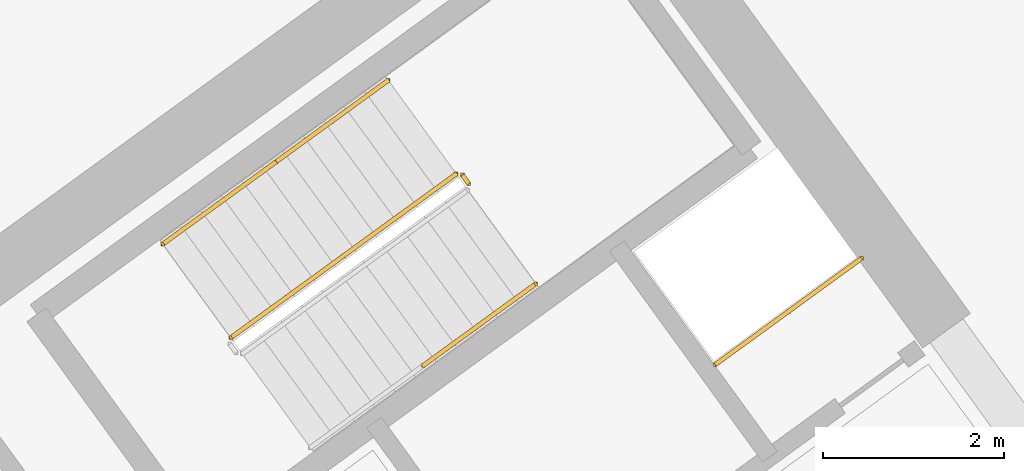
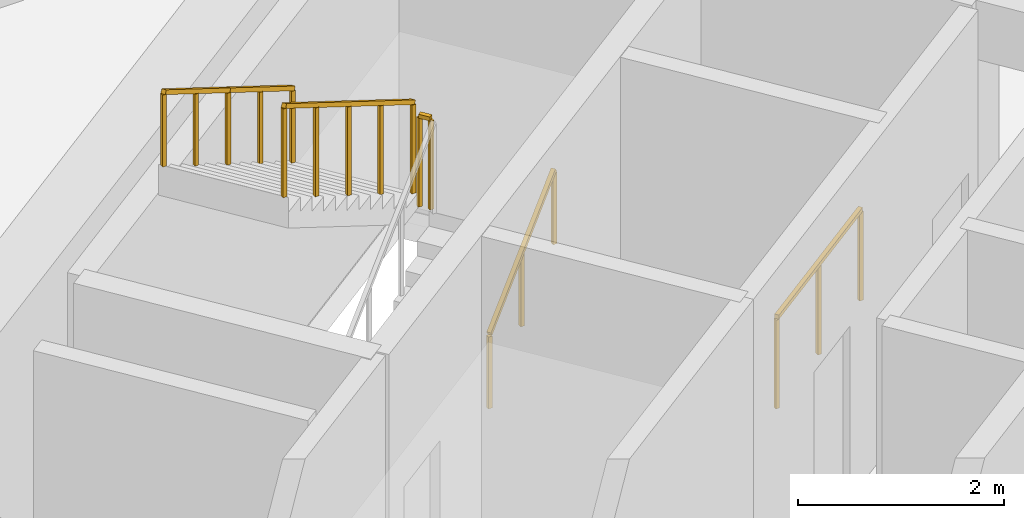
# One storey, part 21 of 22: 6 railings.
"""IFC4 building model written with IfcOpenShell, lengths in metres."""

from ifc_helpers import new_model, si_unit, direction, frame, origin, origin_2d, place, context, subcontext, project, spatial, rectangle, extrude, source, transform, mapped, material, type_object, element, save


model = new_model("IFC4")

# Units and contexts
model_context = context("Model", 3, precision=1e-05, world=origin(), true_north=direction((0.0, 1.0)))
body_context = subcontext(model_context, "Body", "Model", "MODEL_VIEW")
ifc_project = project(units=[si_unit("LENGTHUNIT", "METRE"), si_unit("AREAUNIT", "SQUARE_METRE"), si_unit("VOLUMEUNIT", "CUBIC_METRE"), si_unit("PLANEANGLEUNIT", "RADIAN"), si_unit("MASSUNIT", "GRAM", prefix="KILO")], contexts=[model_context])

# Site, building, storey
site_placement = place(None, origin())
site = spatial("IfcSite", under=ifc_project, at=site_placement, CompositionType="ELEMENT")
building_placement = place(site_placement, origin())
building = spatial("IfcBuilding", under=site, at=building_placement, Name="Tlacorven Tower", CompositionType="ELEMENT")
storey_placement = place(building_placement, frame((0.0, 0.0, 10.199951171875)))
storey = spatial("IfcBuildingStorey", under=building, at=storey_placement, Name="L02", CompositionType="ELEMENT", Elevation=10.199951171875)

# Railings
ifc_material = material(Name="Aluminium and painted steel balustrade", Category="steel")
railing_type_1 = type_object("IfcRailingType", Name="RL-GRD-1100", PredefinedType="GUARDRAIL", material=ifc_material)
shared_shape_1 = source(origin(), body_context, "Body", "SweptSolid", [
    extrude(rectangle(XDim=0.048095703125, YDim=0.048095703125, at=origin_2d()), frame((0.0, 0.0, 1.076171875), z_axis=(0.808947177504, 0.587881334972, 0.0), x_axis=(-0.587881334972, 0.808947177504, 0.0)), (0.0, 0.0, 1.0), 2.0),
    extrude(rectangle(XDim=0.0419921875, YDim=0.0419921875, at=origin_2d()), origin(), (0.0, 0.0, 1.0), 1.052001953125),
    extrude(rectangle(XDim=0.0419921875, YDim=0.0419921875, at=origin_2d()), frame((0.80908203125, 0.587890625, 0.0)), (0.0, 0.0, 1.0), 1.052001953125),
    extrude(rectangle(XDim=0.0419921875, YDim=0.0419921875, at=origin_2d()), frame((1.617919921875, 1.17578125, 0.0)), (0.0, 0.0, 1.0), 1.052001953125),
])
railing_1_placement = place(storey_placement, frame((55.506103515625, 25.438232421875, 0.0)))
element("IfcRailing", 1, at=railing_1_placement, inside=storey, type_object=railing_type_1, Name="L02 Electrical Riser E Shaft Guard 1", PredefinedType="GUARDRAIL", context=body_context, shape_type="MappedRepresentation", body=[
    mapped(shared_shape_1, transform((0.0, 0.0, 0.0), scale=1.0)),
])
shared_shape_2 = source(origin(), body_context, "Body", "SweptSolid", [
    extrude(rectangle(XDim=0.048095703125, YDim=0.048095703125, at=origin_2d()), frame((0.0, 0.0, 1.076171875), z_axis=(-0.587567097037, 0.809175448515, 0.0), x_axis=(-0.809175448515, -0.587567097037, 0.0)), (0.0, 0.0, 1.0), 0.1201171875),
    extrude(rectangle(XDim=0.0419921875, YDim=0.0419921875, at=origin_2d()), origin(), (0.0, 0.0, 1.0), 1.052001953125),
    extrude(rectangle(XDim=0.0419921875, YDim=0.0419921875, at=origin_2d()), frame((-0.070556640625, 0.09716796875, 0.0)), (0.0, 0.0, 1.0), 1.052001953125),
])
railing_2_placement = place(storey_placement, frame((52.780029296875, 27.43798828125, 2.10009765625)))
element("IfcRailing", 2, at=railing_2_placement, inside=storey, type_object=railing_type_1, Name="L02 ST-E1 stair guard 2", PredefinedType="GUARDRAIL", context=body_context, shape_type="MappedRepresentation", body=[
    mapped(shared_shape_2, transform((0.0, 0.0, 0.0), scale=1.0)),
])
shared_shape_3 = source(origin(), body_context, "Body", "SweptSolid", [
    extrude(rectangle(XDim=0.048095703125, YDim=0.048095703125, at=origin_2d()), frame((0.0, 0.0, 1.076171875), z_axis=(-0.686061075441, -0.498446293788, 0.529973105896), x_axis=(0.58778042511, -0.809020501506, 0.0)), (0.0, 0.0, 1.0), 3.6318359375),
    extrude(rectangle(XDim=0.0419921875, YDim=0.0419921875, at=origin_2d()), origin(), (0.0, 0.0, 1.0), 1.052001953125),
    extrude(rectangle(XDim=0.0419921875, YDim=0.0419921875, at=origin_2d()), frame((-0.623046875, -0.45263671875, 0.481201171875)), (0.0, 0.0, 1.0), 1.052001953125),
    extrude(rectangle(XDim=0.0419921875, YDim=0.0419921875, at=origin_2d()), frame((-1.245849609375, -0.9052734375, 0.96240234375)), (0.0, 0.0, 1.0), 1.052001953125),
    extrude(rectangle(XDim=0.0419921875, YDim=0.0419921875, at=origin_2d()), frame((-1.86865234375, -1.357666015625, 1.443603515625)), (0.0, 0.0, 1.0), 1.052001953125),
    extrude(rectangle(XDim=0.0419921875, YDim=0.0419921875, at=origin_2d()), frame((-2.49169921875, -1.810302734375, 1.9248046875)), (0.0, 0.0, 1.0), 1.052001953125),
])
railing_3_placement = place(storey_placement, frame((52.6396484375, 27.546142578125, 2.275146484375)))
element("IfcRailing", 3, at=railing_3_placement, inside=storey, type_object=railing_type_1, Name="L02 ST-E1 stair guard 3", PredefinedType="GUARDRAIL", context=body_context, shape_type="MappedRepresentation", body=[
    mapped(shared_shape_3, transform((0.0, 0.0, 0.0), scale=1.0)),
])
railing_type_2 = type_object("IfcRailingType", Name="RL-HND-0900", PredefinedType="HANDRAIL", material=ifc_material)
shared_shape_4 = source(origin(), body_context, "Body", "SweptSolid", [
    extrude(rectangle(XDim=0.048095703125, YDim=0.048095703125, at=origin_2d()), frame((0.0, 0.0, 0.8759765625), z_axis=(0.686035173933, 0.498360256666, 0.530087534944), x_axis=(-0.58772853873, 0.809058196153, 0.0)), (0.0, 0.0, 1.0), 1.81591796875),
    extrude(rectangle(XDim=0.0419921875, YDim=0.0419921875, at=origin_2d()), origin(), (0.0, 0.0, 1.0), 0.851806640625),
    extrude(rectangle(XDim=0.0419921875, YDim=0.0419921875, at=origin_2d()), frame((0.623046875, 0.45263671875, 0.4814453125)), (0.0, 0.0, 1.0), 0.851806640625),
    extrude(rectangle(XDim=0.0419921875, YDim=0.0419921875, at=origin_2d()), frame((1.245849609375, 0.905029296875, 0.962646484375)), (0.0, 0.0, 1.0), 0.851806640625),
])
railing_4_placement = place(storey_placement, frame((52.275390625, 25.427490234375, 1.137451171875)))
element("IfcRailing", 4, at=railing_4_placement, inside=storey, type_object=railing_type_2, Name="L02 ST-E1 stair handrail 2", PredefinedType="HANDRAIL", context=body_context, shape_type="MappedRepresentation", body=[
    mapped(shared_shape_4, transform((0.0, 0.0, 0.0), scale=1.0)),
])
shared_shape_5 = source(origin(), body_context, "Body", "SweptSolid", [
    extrude(rectangle(XDim=0.048095703125, YDim=0.048095703125, at=origin_2d()), frame((0.0, 0.0, 0.8759765625), z_axis=(-0.686084062368, -0.498395770958, 0.529990862993), x_axis=(0.58772853873, -0.809058196153, 0.0)), (0.0, 0.0, 1.0), 1.81591796875),
    extrude(rectangle(XDim=0.0419921875, YDim=0.0419921875, at=origin_2d()), origin(), (0.0, 0.0, 1.0), 0.851806640625),
    extrude(rectangle(XDim=0.0419921875, YDim=0.0419921875, at=origin_2d()), frame((-0.623046875, -0.45263671875, 0.481201171875)), (0.0, 0.0, 1.0), 0.851806640625),
    extrude(rectangle(XDim=0.0419921875, YDim=0.0419921875, at=origin_2d()), frame((-1.245849609375, -0.905029296875, 0.96240234375)), (0.0, 0.0, 1.0), 0.851806640625),
])
railing_5_placement = place(storey_placement, frame((51.88720703125, 28.58154296875, 2.275146484375)))
element("IfcRailing", 5, at=railing_5_placement, inside=storey, type_object=railing_type_2, Name="L02 ST-E1 stair handrail 3", PredefinedType="HANDRAIL", context=body_context, shape_type="MappedRepresentation", body=[
    mapped(shared_shape_5, transform((0.0, 0.0, 0.0), scale=1.0)),
])
shared_shape_6 = source(origin(), body_context, "Body", "SweptSolid", [
    extrude(rectangle(XDim=0.048095703125, YDim=0.048095703125, at=origin_2d()), frame((0.0, 0.0, 0.8759765625), z_axis=(-0.686038087725, -0.498496811539, 0.52995534819), x_axis=(0.587832304237, -0.808982807045, 0.0)), (0.0, 0.0, 1.0), 1.81591796875),
    extrude(rectangle(XDim=0.0419921875, YDim=0.0419921875, at=origin_2d()), origin(), (0.0, 0.0, 1.0), 0.851806640625),
    extrude(rectangle(XDim=0.0419921875, YDim=0.0419921875, at=origin_2d()), frame((-0.623046875, -0.45263671875, 0.481201171875)), (0.0, 0.0, 1.0), 0.851806640625),
    extrude(rectangle(XDim=0.0419921875, YDim=0.0419921875, at=origin_2d()), frame((-1.245849609375, -0.9052734375, 0.96240234375)), (0.0, 0.0, 1.0), 0.851806640625),
])
railing_6_placement = place(storey_placement, frame((50.641357421875, 27.676513671875, 3.237548828125)))
element("IfcRailing", 6, at=railing_6_placement, inside=storey, type_object=railing_type_2, Name="L02 ST-E1 stair handrail 4", PredefinedType="HANDRAIL", context=body_context, shape_type="MappedRepresentation", body=[
    mapped(shared_shape_6, transform((0.0, 0.0, 0.0), scale=1.0)),
])

save(model, "model.ifc")
